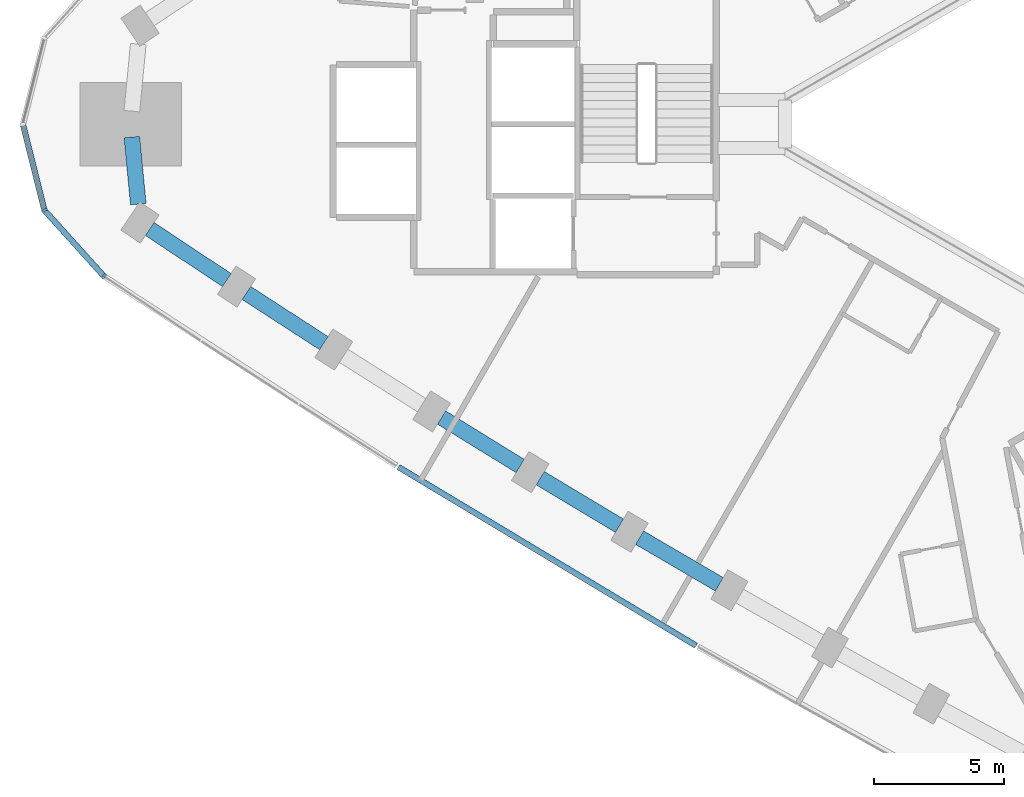
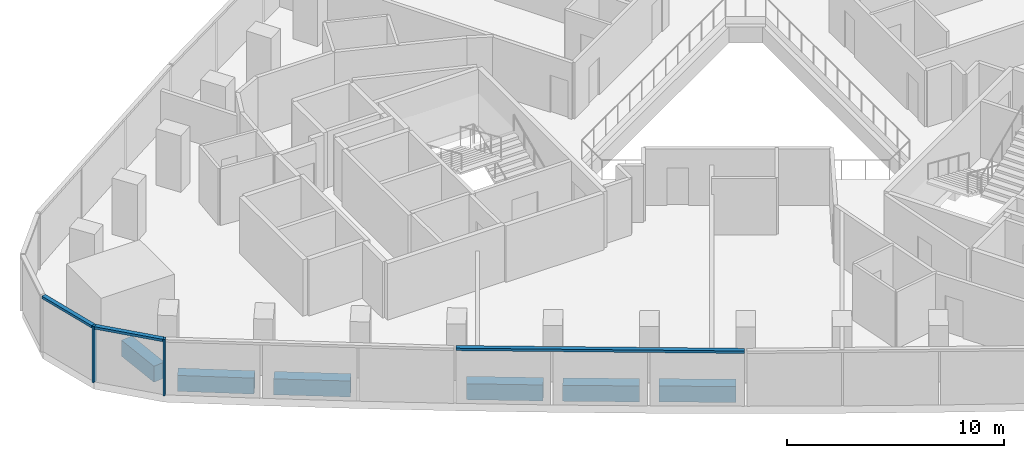
# One storey, part 2 of 12: 6 beams, 5 members, 2 elements without a shape of their own.
"""IFC4 building model written with IfcOpenShell, lengths in metres."""

from ifc_helpers import new_model, si_unit, direction, frame, origin, origin_2d, place, context, subcontext, project, spatial, rectangle, extrude, material, material_profile, profile_set, type_object, element, aggregate, save


model = new_model("IFC4")

# Units and contexts
model_context = context("Model", 3, precision=1e-05, world=origin(), true_north=direction((0.0, 1.0)))
body_context = subcontext(model_context, "Body", "Model", "MODEL_VIEW")
ifc_project = project(units=[si_unit("LENGTHUNIT", "METRE"), si_unit("AREAUNIT", "SQUARE_METRE"), si_unit("VOLUMEUNIT", "CUBIC_METRE"), si_unit("PLANEANGLEUNIT", "RADIAN"), si_unit("MASSUNIT", "GRAM", prefix="KILO")], contexts=[model_context])

# Site, building, storey
site_placement = place(None, origin())
site = spatial("IfcSite", under=ifc_project, at=site_placement, CompositionType="ELEMENT")
building_placement = place(site_placement, origin())
building = spatial("IfcBuilding", under=site, at=building_placement, Name="Tamra Quay Hotel Tower", CompositionType="ELEMENT")
storey_placement = place(building_placement, frame((0.0, 0.0, 93.800048828125)))
storey = spatial("IfcBuildingStorey", under=building, at=storey_placement, Name="L22", CompositionType="ELEMENT", Elevation=93.800048828125)

# Curtain wall, member
ifc_material_1 = material(Name="Aluminium 6063 anodised dark grey", Category="aluminium")
curtain_wall_type_1 = type_object("IfcCurtainWallType", Name="CW2 CURTAIN WALL", PredefinedType="NOTDEFINED", material=ifc_material_1)
curtain_wall_1_placement = place(storey_placement, origin())
curtain_wall_1 = element("IfcCurtainWall", 1, at=curtain_wall_1_placement, inside=storey, type_object=curtain_wall_type_1, Name="CW2 north-west face L22", PredefinedType="NOTDEFINED")
ifc_material_profile_1 = material_profile(ifc_material_1, rectangle(XDim=0.219970703125, YDim=0.10009765625, at=origin_2d()), Name="MULLION 100X220")
ifc_profile_set_1 = profile_set([ifc_material_profile_1], Name="Aluminium 6063 anodised dark grey")
member_type_1 = type_object("IfcMemberType", Name="MULLION CW2 Z2", PredefinedType="MULLION", material=ifc_profile_set_1)
member_1_placement = place(storey_placement, frame((-36.623046875, -3.308349609375, 0.0), z_axis=(0.0, 0.0, 1.0), x_axis=(-0.882543846683, -0.47023011248, 0.0)))
member_1 = element("IfcMember", 2, at=member_1_placement, type_object=member_type_1, Name="CW2 mullion L22.NW.16", PredefinedType="MULLION", context=body_context, shape_type="SweptSolid", body=[
    extrude(rectangle(XDim=0.219970703125, YDim=0.10009765625, at=origin_2d()), origin(), (0.0, 0.0, 1.0), 3.175048828125),
])

curtain_wall_type_2 = type_object("IfcCurtainWallType", Name="CW3 CURTAIN WALL", PredefinedType="NOTDEFINED", material=ifc_material_1)
curtain_wall_2_placement = place(storey_placement, origin())
curtain_wall_2 = element("IfcCurtainWall", 3, at=curtain_wall_2_placement, inside=storey, type_object=curtain_wall_type_2, Name="CW3 south-west face L22", PredefinedType="NOTDEFINED")
ifc_material_profile_2 = material_profile(ifc_material_1, rectangle(XDim=0.219970703125, YDim=0.10009765625, at=origin_2d()), Name="MULLION 100X220")
ifc_profile_set_2 = profile_set([ifc_material_profile_2], Name="Aluminium 6063 anodised dark grey")
member_type_2 = type_object("IfcMemberType", Name="MULLION CW3 Z2", PredefinedType="MULLION", material=ifc_profile_set_2)
member_2_placement = place(storey_placement, frame((-34.338134765625, -5.839599609375, 0.0), z_axis=(0.0, 0.0, 1.0), x_axis=(-0.652886835472, -0.757455464081, 0.0)))
member_2 = element("IfcMember", 4, at=member_2_placement, type_object=member_type_2, Name="CW3 mullion L22.SW.1", PredefinedType="MULLION", context=body_context, shape_type="SweptSolid", body=[
    extrude(rectangle(XDim=0.219970703125, YDim=0.10009765625, at=origin_2d()), origin(), (0.0, 0.0, 1.0), 3.175048828125),
])

# Beams
ifc_material_2 = material(Name="Concrete M60", Category="concrete")
ifc_material_profile_3 = material_profile(ifc_material_2, rectangle(XDim=0.60009765625, YDim=0.89990234375, at=origin_2d()), Name="SPANDREL BEAM RC 600x900")
ifc_profile_set_3 = profile_set([ifc_material_profile_3], Name="Concrete M60")
beam_type = type_object("IfcBeamType", Name="SPANDREL BEAM RC 600x900", PredefinedType="SPANDREL", material=ifc_profile_set_3)
beam_1_placement = place(storey_placement, frame((-33.26611328125, -0.497802734375, -0.875), z_axis=(0.09550001445, -0.995429428558, 0.0), x_axis=(0.995429428558, 0.09550001445, 0.0)))
element("IfcBeam", 5, at=beam_1_placement, inside=storey, type_object=beam_type, Name="BM-SP2-027-L22", PredefinedType="SPANDREL", context=body_context, shape_type="SweptSolid", body=[
    extrude(rectangle(XDim=0.60009765625, YDim=0.89990234375, at=origin_2d()), origin(), (0.0, 0.0, 1.0), 2.58447265625),
])
beam_2_placement = place(storey_placement, frame((-32.57666015625, -4.025390625, -0.875), z_axis=(0.832981511469, -0.55330082374, 0.0), x_axis=(0.55330082374, 0.832981511469, 0.0)))
element("IfcBeam", 6, at=beam_2_placement, inside=storey, type_object=beam_type, Name="BM-SP2-028-L22", PredefinedType="SPANDREL", context=body_context, shape_type="SweptSolid", body=[
    extrude(rectangle(XDim=0.60009765625, YDim=0.89990234375, at=origin_2d()), origin(), (0.0, 0.0, 1.0), 3.544921875),
])
beam_3_placement = place(storey_placement, frame((-28.87109375, -6.480712890625, -0.875), z_axis=(0.839237385713, -0.543765216266, 0.0), x_axis=(0.543765216266, 0.839237385713, 0.0)))
element("IfcBeam", 7, at=beam_3_placement, inside=storey, type_object=beam_type, Name="BM-SP2-029-L22", PredefinedType="SPANDREL", context=body_context, shape_type="SweptSolid", body=[
    extrude(rectangle(XDim=0.60009765625, YDim=0.89990234375, at=origin_2d()), origin(), (0.0, 0.0, 1.0), 3.544677734375),
])
beam_4_placement = place(storey_placement, frame((-21.3779296875, -11.263427734375, -0.875), z_axis=(0.851393361846, -0.524527733685, 0.0), x_axis=(0.524527733685, 0.851393361846, 0.0)))
element("IfcBeam", 8, at=beam_4_placement, inside=storey, type_object=beam_type, Name="BM-SP2-031-L22", PredefinedType="SPANDREL", context=body_context, shape_type="SweptSolid", body=[
    extrude(rectangle(XDim=0.60009765625, YDim=0.89990234375, at=origin_2d()), origin(), (0.0, 0.0, 1.0), 3.544921875),
])
for number, where, z_axis, x_axis, name in (
    (9, (-17.5908203125, -13.59033203125, -0.875), (0.857286231776, -0.514840088578, 0.0), (0.514840088578, 0.857286231776, 0.0), "BM-SP2-032-L22"),
    (10, (-13.777587890625, -15.8740234375, -0.875), (0.863128698129, -0.504984010109, 0.0), (0.504984010109, 0.863128698129, 0.0), "BM-SP2-033-L22"),
):
    element("IfcBeam", number, at=place(storey_placement, frame(where, z_axis=z_axis, x_axis=x_axis)), inside=storey, type_object=beam_type, Name=name, PredefinedType="SPANDREL", context=body_context, shape_type="SweptSolid", body=[
        extrude(rectangle(XDim=0.60009765625, YDim=0.89990234375, at=origin_2d()), origin(), (0.0, 0.0, 1.0), 3.544677734375),
    ])

# Member
ifc_material_profile_4 = material_profile(ifc_material_1, rectangle(XDim=0.219970703125, YDim=0.139892578125, at=origin_2d()), Name="TRANSOM 220X140")
ifc_profile_set_4 = profile_set([ifc_material_profile_4], Name="Aluminium 6063 anodised dark grey")
member_type_3 = type_object("IfcMemberType", Name="TRANSOM CW2 Z2", PredefinedType="USERDEFINED", material=ifc_profile_set_4)
member_3_placement = place(storey_placement, frame((-37.437255859375, -0.048583984375, 3.10498046875), z_axis=(0.242292652285, -0.970203211007, 0.0), x_axis=(0.970203211007, 0.242292652285, 0.0)))
member_3 = element("IfcMember", 11, at=member_3_placement, type_object=member_type_3, Name="CW2 transom L22.NW.15", ObjectType="TRANSOM", PredefinedType="USERDEFINED", context=body_context, shape_type="SweptSolid", body=[
    extrude(rectangle(XDim=0.219970703125, YDim=0.139892578125, at=origin_2d()), origin(), (0.0, 0.0, 1.0), 3.31005859375),
])

member_4_placement = place(storey_placement, frame((-36.589599609375, -3.345458984375, 3.10498046875), z_axis=(0.670080516261, -0.742288422196, 0.0), x_axis=(0.742288422196, 0.670080516261, 0.0)))
member_4 = element("IfcMember", 12, at=member_4_placement, type_object=member_type_3, Name="CW2 transom L22.NW.16", ObjectType="TRANSOM", PredefinedType="USERDEFINED", context=body_context, shape_type="SweptSolid", body=[
    extrude(rectangle(XDim=0.219970703125, YDim=0.139892578125, at=origin_2d()), origin(), (0.0, 0.0, 1.0), 3.31005859375),
])

aggregate(curtain_wall_1, [member_3, member_1, member_4])

ifc_material_profile_5 = material_profile(ifc_material_1, rectangle(XDim=0.219970703125, YDim=0.139892578125, at=origin_2d()), Name="TRANSOM 220X140")
ifc_profile_set_5 = profile_set([ifc_material_profile_5], Name="Aluminium 6063 anodised dark grey")
member_type_4 = type_object("IfcMemberType", Name="TRANSOM CW3 Z2", PredefinedType="USERDEFINED", material=ifc_profile_set_5)
member_5_placement = place(storey_placement, frame((-23.034423828125, -13.16259765625, 3.10498046875), z_axis=(0.857332765871, -0.514762594372, 0.0), x_axis=(0.514762594372, 0.857332765871, 0.0)))
member_5 = element("IfcMember", 13, at=member_5_placement, type_object=member_type_4, Name="CW3 transom L22.SW.4", ObjectType="TRANSOM", PredefinedType="USERDEFINED", context=body_context, shape_type="SweptSolid", body=[
    extrude(rectangle(XDim=0.219970703125, YDim=0.139892578125, at=origin_2d()), origin(), (0.0, 0.0, 1.0), 13.319091796875),
])

aggregate(curtain_wall_2, [member_2, member_5])

save(model, "model.ifc")
